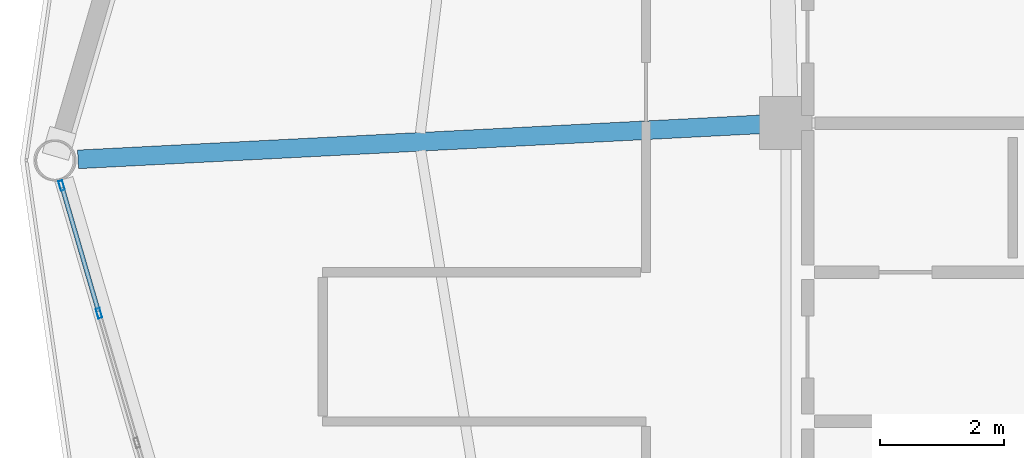
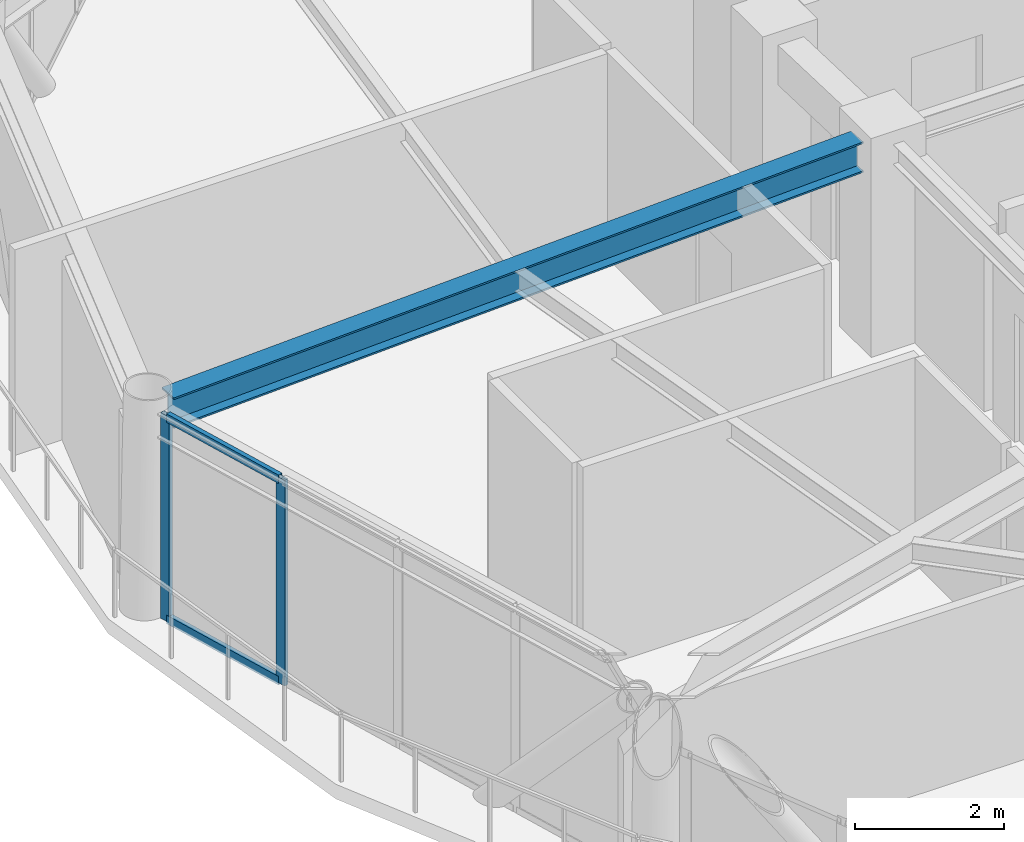
# One storey, part 10 of 26: 4 members, 1 beam, 1 element without a shape of its own.
"""IFC4 building model written with IfcOpenShell, lengths in metres."""

from ifc_helpers import new_model, si_unit, direction, frame, origin, origin_2d, place, context, subcontext, project, spatial, hollow_rectangle, i_section, extrude, material, layer, layer_set, material_profile, profile_set, type_object, element, aggregate, save


model = new_model("IFC4")

# Units and contexts
model_context = context("Model", 3, precision=1e-05, world=origin(), true_north=direction((0.0, 1.0)))
body_context = subcontext(model_context, "Body", "Model", "MODEL_VIEW")
ifc_project = project(units=[si_unit("LENGTHUNIT", "METRE"), si_unit("AREAUNIT", "SQUARE_METRE"), si_unit("VOLUMEUNIT", "CUBIC_METRE"), si_unit("PLANEANGLEUNIT", "RADIAN"), si_unit("MASSUNIT", "GRAM", prefix="KILO")], contexts=[model_context])

# Site, building, storey
site_placement = place(None, origin())
site = spatial("IfcSite", under=ifc_project, at=site_placement, CompositionType="ELEMENT")
building_placement = place(site_placement, origin())
building = spatial("IfcBuilding", under=site, at=building_placement, Name="Varnakorn Sky Granary", CompositionType="ELEMENT")
storey_placement = place(building_placement, frame((0.0, 0.0, 222.0)))
storey = spatial("IfcBuildingStorey", under=building, at=storey_placement, Name="L56", CompositionType="ELEMENT", Elevation=222.0)

# Beam
ifc_material_1 = material(Name="Steel S355JR", Category="steel")
ifc_material_profile_1 = material_profile(ifc_material_1, i_section(OverallWidth=0.300048828125, OverallDepth=0.5, WebThickness=0.014404296875, FlangeThickness=0.028076171875, at=origin_2d()), Name="HE 500 B")
ifc_profile_set_1 = profile_set([ifc_material_profile_1], Name="Steel S355JR")
beam_type = type_object("IfcBeamType", Name="BM-RAD-Z4", PredefinedType="BEAM", material=ifc_profile_set_1)
beam_placement = place(storey_placement, frame((-2.75439453125, 0.579345703125, 3.110107421875), z_axis=(-0.998687634362, -0.05121531971, 0.0), x_axis=(0.05121531971, -0.998687634362, 0.0)))
element("IfcBeam", 1, at=beam_placement, inside=storey, type_object=beam_type, Name="Radial Floor Girder RG07 L56", PredefinedType="BEAM", context=body_context, shape_type="SweptSolid", body=[
    extrude(i_section(OverallWidth=0.300048828125, OverallDepth=0.5, WebThickness=0.014404296875, FlangeThickness=0.028076171875, at=origin_2d()), origin(), (0.0, 0.0, 1.0), 10.997314453125),
])

# Curtain wall, members
ifc_material_2 = material(Name="Anodised Bronze Aluminium Alloy 6063-T6", Category="aluminium")
ifc_layer = layer(ifc_material_2, 0.169921875, Name="Anodised Bronze Aluminium Alloy 6063-T6")
ifc_layer_set = layer_set([ifc_layer], Name="Anodised Bronze Aluminium Alloy 6063-T6")
curtain_wall_type = type_object("IfcCurtainWallType", Name="CW-LAB-1", PredefinedType="USERDEFINED", material=ifc_layer_set)
curtain_wall_placement = place(storey_placement, origin())
curtain_wall = element("IfcCurtainWall", 2, at=curtain_wall_placement, inside=storey, type_object=curtain_wall_type, Name="Unitised Curtain Wall CW5 CW-L56-B07", ObjectType="CURTAIN WALL", PredefinedType="USERDEFINED")
ifc_material_profile_2 = material_profile(ifc_material_2, hollow_rectangle(XDim=0.06494140625, YDim=0.159912109375, WallThickness=0.00341796875, at=origin_2d()), Name="ALU MULL 65x160")
ifc_profile_set_2 = profile_set([ifc_material_profile_2], Name="Anodised Bronze Aluminium Alloy 6063-T6")
member_type_1 = type_object("IfcMemberType", Name="CW-LAB-1-MULL", PredefinedType="MULLION", material=ifc_profile_set_2)
member_1_placement = place(storey_placement, frame((-13.399658203125, -2.458984375, 0.0), z_axis=(0.0, 0.0, 1.0), x_axis=(-0.959779398669, -0.280755241964, 0.0)))
member_1 = element("IfcMember", 3, at=member_1_placement, type_object=member_type_1, Name="CW5 mullion 4", PredefinedType="MULLION", context=body_context, shape_type="SweptSolid", body=[
    extrude(hollow_rectangle(XDim=0.06494140625, YDim=0.159912109375, WallThickness=0.00341796875, at=origin_2d()), origin(), (0.0, 0.0, 1.0), 3.360107421875),
])
member_2_placement = place(storey_placement, frame((-14.00048828125, -0.405517578125, 0.0), z_axis=(0.0, 0.0, 1.0), x_axis=(-0.959779398669, -0.280755241964, 0.0)))
member_2 = element("IfcMember", 4, at=member_2_placement, type_object=member_type_1, Name="CW5 mullion 5", PredefinedType="MULLION", context=body_context, shape_type="SweptSolid", body=[
    extrude(hollow_rectangle(XDim=0.06494140625, YDim=0.159912109375, WallThickness=0.00341796875, at=origin_2d()), origin(), (0.0, 0.0, 1.0), 3.360107421875),
])
ifc_material_profile_3 = material_profile(ifc_material_2, hollow_rectangle(XDim=0.070068359375, YDim=0.139892578125, WallThickness=0.00341796875, at=origin_2d()), Name="ALU TRAN 70x140")
ifc_profile_set_3 = profile_set([ifc_material_profile_3], Name="Anodised Bronze Aluminium Alloy 6063-T6")
member_type_2 = type_object("IfcMemberType", Name="CW-LAB-1-TRAN", PredefinedType="USERDEFINED", material=ifc_profile_set_3)
member_3_placement = place(storey_placement, frame((-13.40869140625, -2.427734375, 0.034912109375), z_axis=(-0.28080885606, 0.959763713816, 0.0), x_axis=(-0.959763713816, -0.28080885606, 0.0)))
member_3 = element("IfcMember", 5, at=member_3_placement, type_object=member_type_2, Name="CW5 transom 4.1", ObjectType="TRANSOM", PredefinedType="USERDEFINED", context=body_context, shape_type="SweptSolid", body=[
    extrude(hollow_rectangle(XDim=0.070068359375, YDim=0.139892578125, WallThickness=0.00341796875, at=origin_2d()), origin(), (0.0, 0.0, 1.0), 2.074462890625),
])
member_4_placement = place(storey_placement, frame((-13.40869140625, -2.427734375, 3.324951171875), z_axis=(-0.28080885606, 0.959763713816, 0.0), x_axis=(-0.959763713816, -0.28080885606, 0.0)))
member_4 = element("IfcMember", 6, at=member_4_placement, type_object=member_type_2, Name="CW5 transom 4.2", ObjectType="TRANSOM", PredefinedType="USERDEFINED", context=body_context, shape_type="SweptSolid", body=[
    extrude(hollow_rectangle(XDim=0.070068359375, YDim=0.139892578125, WallThickness=0.00341796875, at=origin_2d()), origin(), (0.0, 0.0, 1.0), 2.074462890625),
])
aggregate(curtain_wall, [member_1, member_2, member_3, member_4])

save(model, "model.ifc")
